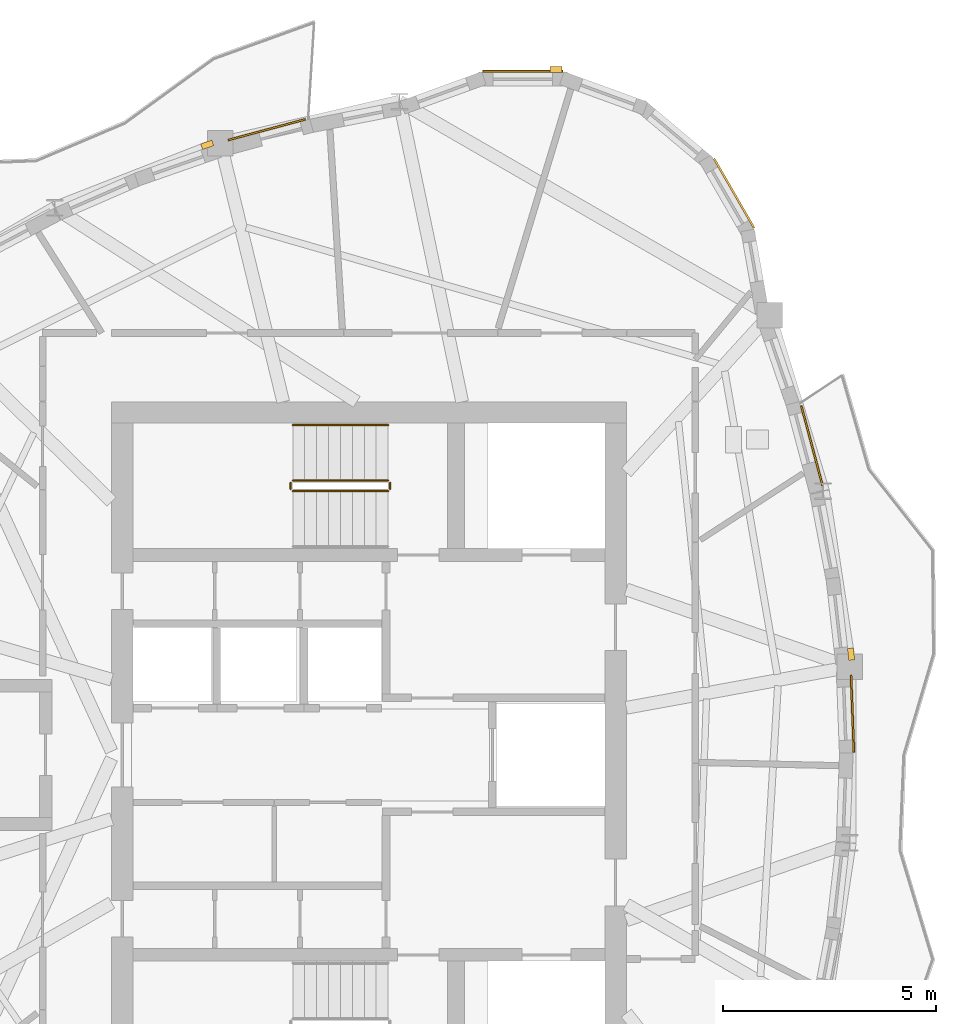
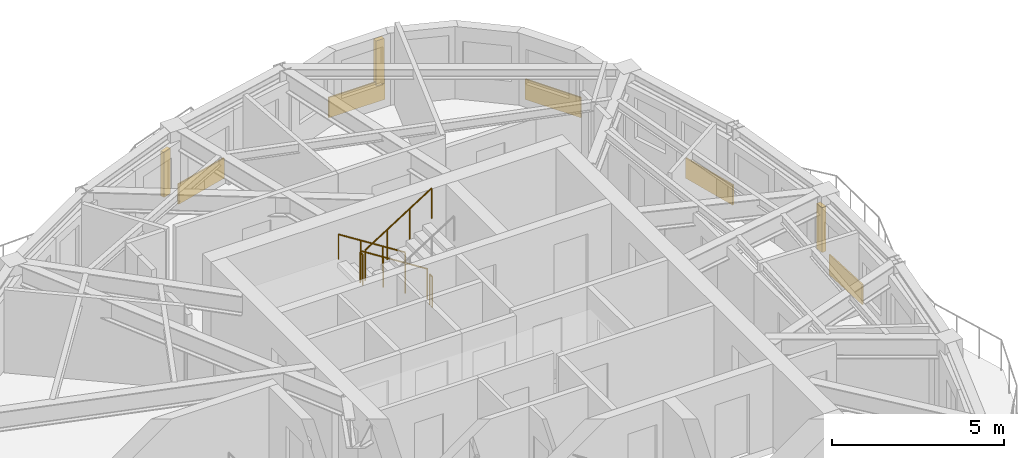
# One storey, part 11 of 12: 5 coverings, 5 railings, 3 shading devices.
"""IFC4 building model written with IfcOpenShell, lengths in metres."""

from ifc_helpers import new_model, si_unit, direction, frame, origin, origin_2d, place, context, subcontext, project, spatial, rectangle, circle, extrude, source, transform, mapped, material, layer, layer_set, type_object, element, save


model = new_model("IFC4")

# Units and contexts
model_context = context("Model", 3, precision=1e-05, world=origin(), true_north=direction((0.0, 1.0)))
body_context = subcontext(model_context, "Body", "Model", "MODEL_VIEW")
ifc_project = project(units=[si_unit("LENGTHUNIT", "METRE"), si_unit("AREAUNIT", "SQUARE_METRE"), si_unit("VOLUMEUNIT", "CUBIC_METRE"), si_unit("PLANEANGLEUNIT", "RADIAN"), si_unit("MASSUNIT", "GRAM", prefix="KILO")], contexts=[model_context])

# Site, building, storey
site_placement = place(None, origin())
site = spatial("IfcSite", under=ifc_project, at=site_placement, CompositionType="ELEMENT")
building_placement = place(site_placement, origin())
building = spatial("IfcBuilding", under=site, at=building_placement, Name="Qafzar Sky-Pleat Residences", CompositionType="ELEMENT")
storey_placement = place(building_placement, frame((0.0, 0.0, 250.0)))
storey = spatial("IfcBuildingStorey", under=building, at=storey_placement, Name="L75", CompositionType="ELEMENT", Elevation=250.0)

# Shading devices
ifc_material_1 = material(Name="Honed Riyadh limestone solar fin", Category="masonry")
ifc_layer_1 = layer(ifc_material_1, 0.139892578125)
ifc_layer_set_1 = layer_set([ifc_layer_1], Name="Honed Riyadh limestone solar fin")
shading_device_type = type_object("IfcShadingDeviceType", Name="SHD-FIN-STONE", PredefinedType="SHUTTER", material=ifc_layer_set_1)
shared_shape_1 = source(origin(), body_context, "Body", "SweptSolid", [
    extrude(rectangle(XDim=0.139892578125, YDim=0.280029296875, at=origin_2d()), origin(), (0.0, 0.0, 1.0), 1.60009765625),
])
for number, where, z_axis, x_axis, name in (
    (1, (41.68408203125, 28.366943359375, 0.599853515625), (0.0, 0.0, 1.0), (0.99356253732, 0.113284970031, 0.0), "L75 Limestone Solar Fin 29"),
    (2, (34.74755859375, 42.11279296875, 0.599853515625), (0.0, 0.0, 1.0), (0.0, 1.0, 0.0), "L75 Limestone Solar Fin 37"),
    (3, (26.548095703125, 40.3408203125, 0.599853515625), (0.0, 0.0, 1.0), (-0.329526843357, 0.944146206637, 0.0), "L75 Limestone Solar Fin 41"),
):
    element("IfcShadingDevice", number, at=place(storey_placement, frame(where, z_axis=z_axis, x_axis=x_axis)), inside=storey, type_object=shading_device_type, Name=name, PredefinedType="SHUTTER", context=body_context, shape_type="MappedRepresentation", body=[
        mapped(shared_shape_1, transform((0.0, 0.0, 0.0), x_axis=(1.0, 0.0, 0.0), y_axis=(0.0, 1.0, 0.0), z_axis=(0.0, 0.0, 1.0), scale=1.0)),
    ])

# Coverings
ifc_material_2 = material(Name="Honed Riyadh Tuwaiq limestone cladding", Category="masonry")
ifc_layer_2 = layer(ifc_material_2, 0.044921875)
ifc_layer_set_2 = layer_set([ifc_layer_2], Name="Honed Riyadh Tuwaiq limestone cladding")
covering_type = type_object("IfcCoveringType", Name="COV-CLAD-STONE", PredefinedType="CLADDING", material=ifc_layer_set_2)
shared_shape_2 = source(origin(), body_context, "Body", "SweptSolid", [
    extrude(rectangle(XDim=1.88134765625, YDim=0.044921875, at=origin_2d()), origin(), (0.0, 0.0, 1.0), 0.719970703125),
])
for number, where, z_axis, x_axis, name in (
    (4, (38.93310546875, 39.202880859375, 0.02001953125), (0.0, 0.0, 1.0), (-0.499972303345, 0.866041393865, 0.0), "L75 Riyadh Limestone Spandrel Cladding 34"),
    (5, (33.967529296875, 42.06982421875, 0.02001953125), (0.0, 0.0, 1.0), (-1.0, 0.0, 0.0), "L75 Riyadh Limestone Spandrel Cladding 37"),
):
    element("IfcCovering", number, at=place(storey_placement, frame(where, z_axis=z_axis, x_axis=x_axis)), inside=storey, type_object=covering_type, Name=name, PredefinedType="CLADDING", context=body_context, shape_type="MappedRepresentation", body=[
        mapped(shared_shape_2, transform((0.0, 0.0, 0.0), x_axis=(1.0, 0.0, 0.0), y_axis=(0.0, 1.0, 0.0), z_axis=(0.0, 0.0, 1.0), scale=1.0)),
    ])
shared_shape_3 = source(origin(), body_context, "Body", "SweptSolid", [
    extrude(rectangle(XDim=1.81494140625, YDim=0.044921875, at=origin_2d()), origin(), (0.0, 0.0, 1.0), 0.719970703125),
])
covering_1_placement = place(storey_placement, frame((41.716552734375, 26.970458984375, 0.02001953125), z_axis=(0.0, 0.0, 1.0), x_axis=(-0.037983685152, 0.999278359449, 0.0)))
element("IfcCovering", 6, at=covering_1_placement, inside=storey, type_object=covering_type, Name="L75 Riyadh Limestone Spandrel Cladding 28", PredefinedType="CLADDING", context=body_context, shape_type="MappedRepresentation", body=[
    mapped(shared_shape_3, transform((0.0, 0.0, 0.0), x_axis=(1.0, 0.0, 0.0), y_axis=(0.0, 1.0, 0.0), z_axis=(0.0, 0.0, 1.0), scale=1.0)),
])
shared_shape_4 = source(origin(), body_context, "Body", "SweptSolid", [
    extrude(rectangle(XDim=1.94140625, YDim=0.044921875, at=origin_2d()), origin(), (0.0, 0.0, 1.0), 0.719970703125),
])
covering_2_placement = place(storey_placement, frame((40.76318359375, 33.268798828125, 0.02001953125), z_axis=(0.0, 0.0, 1.0), x_axis=(-0.257059551248, 0.966395564514, 0.0)))
element("IfcCovering", 7, at=covering_2_placement, inside=storey, type_object=covering_type, Name="L75 Riyadh Limestone Spandrel Cladding 31", PredefinedType="CLADDING", context=body_context, shape_type="MappedRepresentation", body=[
    mapped(shared_shape_4, transform((0.0, 0.0, 0.0), x_axis=(1.0, 0.0, 0.0), y_axis=(0.0, 1.0, 0.0), z_axis=(0.0, 0.0, 1.0), scale=1.0)),
])
shared_shape_5 = source(origin(), body_context, "Body", "SweptSolid", [
    extrude(rectangle(XDim=1.87841796875, YDim=0.044921875, at=origin_2d()), origin(), (0.0, 0.0, 1.0), 0.719970703125),
])
covering_3_placement = place(storey_placement, frame((27.947265625, 40.69677734375, 0.02001953125), z_axis=(0.0, 0.0, 1.0), x_axis=(-0.965459220277, -0.260554205458, 0.0)))
element("IfcCovering", 8, at=covering_3_placement, inside=storey, type_object=covering_type, Name="L75 Riyadh Limestone Spandrel Cladding 40", PredefinedType="CLADDING", context=body_context, shape_type="MappedRepresentation", body=[
    mapped(shared_shape_5, transform((0.0, 0.0, 0.0), x_axis=(1.0, 0.0, 0.0), y_axis=(0.0, 1.0, 0.0), z_axis=(0.0, 0.0, 1.0), scale=1.0)),
])

# Railings
ifc_material_3 = material(Name="Painted Steel S355 stair guardrail", Category="steel")
railing_type_1 = type_object("IfcRailingType", Name="RAIL-STAIR-GUARD", PredefinedType="GUARDRAIL", material=ifc_material_3)
shared_shape_6 = source(origin(), body_context, "Body", "SweptSolid", [
    extrude(circle(Radius=0.02392578125, at=origin_2d()), frame((0.0, 0.0, 1.076171875), z_axis=(0.0, -1.0, 0.0), x_axis=(1.0, 0.0, 0.0)), (0.0, 0.0, 1.0), 0.14990234375),
    extrude(circle(Radius=0.02099609375, at=origin_2d()), origin(), (0.0, 0.0, 1.0), 1.052001953125),
    extrude(circle(Radius=0.02099609375, at=origin_2d()), frame((0.0, -0.14990234375, 0.0)), (0.0, 0.0, 1.0), 1.052001953125),
])
for number, where, name in (
    (9, (28.510009765625, 32.39990234375, 1.60009765625), "L75 ST2 stair guard 2"),
    (10, (30.85009765625, 32.39990234375, 0.0), "L75 ST2 stair guard 4"),
):
    element("IfcRailing", number, at=place(storey_placement, frame(where)), inside=storey, type_object=railing_type_1, Name=name, PredefinedType="GUARDRAIL", context=body_context, shape_type="MappedRepresentation", body=[
        mapped(shared_shape_6, transform((0.0, 0.0, 0.0), x_axis=(1.0, 0.0, 0.0), y_axis=(0.0, 1.0, 0.0), z_axis=(0.0, 0.0, 1.0), scale=1.0)),
    ])
shared_shape_7 = source(origin(), body_context, "Body", "SweptSolid", [
    extrude(circle(Radius=0.02392578125, at=origin_2d()), frame((0.0, 0.0, 1.076171875), z_axis=(0.8442293374, 0.0, 0.53598211339), x_axis=(0.0, 1.0, 0.0)), (0.0, 0.0, 1.0), 2.6533203125),
    extrude(circle(Radius=0.02099609375, at=origin_2d()), origin(), (0.0, 0.0, 1.0), 1.052001953125),
    extrude(circle(Radius=0.02099609375, at=origin_2d()), frame((0.74658203125, 0.0, 0.47412109375)), (0.0, 0.0, 1.0), 1.052001953125),
    extrude(circle(Radius=0.02099609375, at=origin_2d()), frame((1.493408203125, 0.0, 0.947998046875)), (0.0, 0.0, 1.0), 1.052001953125),
    extrude(circle(Radius=0.02099609375, at=origin_2d()), frame((2.239990234375, 0.0, 1.422119140625)), (0.0, 0.0, 1.0), 1.052001953125),
])
railing_1_placement = place(storey_placement, frame((28.56005859375, 32.199951171875, 1.77783203125)))
element("IfcRailing", 11, at=railing_1_placement, inside=storey, type_object=railing_type_1, Name="L75 ST2 stair guard 3", PredefinedType="GUARDRAIL", context=body_context, shape_type="MappedRepresentation", body=[
    mapped(shared_shape_7, transform((0.0, 0.0, 0.0), x_axis=(1.0, 0.0, 0.0), y_axis=(0.0, 1.0, 0.0), z_axis=(0.0, 0.0, 1.0), scale=1.0)),
])
shared_shape_8 = source(origin(), body_context, "Body", "SweptSolid", [
    extrude(circle(Radius=0.02392578125, at=origin_2d()), frame((0.0, 0.0, 1.076171875), z_axis=(-0.84418770128, 0.0, 0.536047689118), x_axis=(0.0, -1.0, 0.0)), (0.0, 0.0, 1.0), 2.6533203125),
    extrude(circle(Radius=0.02099609375, at=origin_2d()), origin(), (0.0, 0.0, 1.0), 1.052001953125),
    extrude(circle(Radius=0.02099609375, at=origin_2d()), frame((-0.74658203125, 0.0, 0.47412109375)), (0.0, 0.0, 1.0), 1.052001953125),
    extrude(circle(Radius=0.02099609375, at=origin_2d()), frame((-1.493408203125, 0.0, 0.9482421875)), (0.0, 0.0, 1.0), 1.052001953125),
    extrude(circle(Radius=0.02099609375, at=origin_2d()), frame((-2.239990234375, 0.0, 1.42236328125)), (0.0, 0.0, 1.0), 1.052001953125),
])
railing_2_placement = place(storey_placement, frame((30.800048828125, 32.449951171875, 0.177734375)))
element("IfcRailing", 12, at=railing_2_placement, inside=storey, type_object=railing_type_1, Name="L75 ST2 stair guard 1", PredefinedType="GUARDRAIL", context=body_context, shape_type="MappedRepresentation", body=[
    mapped(shared_shape_8, transform((0.0, 0.0, 0.0), x_axis=(1.0, 0.0, 0.0), y_axis=(0.0, 1.0, 0.0), z_axis=(0.0, 0.0, 1.0), scale=1.0)),
])
ifc_material_4 = material(Name="Brushed stainless steel handrail", Category="steel")
railing_type_2 = type_object("IfcRailingType", Name="RAIL-STAIR-HAND", PredefinedType="HANDRAIL", material=ifc_material_4)
shared_shape_9 = source(origin(), body_context, "Body", "SweptSolid", [
    extrude(circle(Radius=0.02392578125, at=origin_2d()), frame((0.0, 0.0, 0.8759765625), z_axis=(-0.84418770128, 0.0, 0.536047689118), x_axis=(0.0, -1.0, 0.0)), (0.0, 0.0, 1.0), 2.6533203125),
    extrude(circle(Radius=0.02099609375, at=origin_2d()), origin(), (0.0, 0.0, 1.0), 0.851806640625),
    extrude(circle(Radius=0.02099609375, at=origin_2d()), frame((-0.74658203125, 0.0, 0.47412109375)), (0.0, 0.0, 1.0), 0.851806640625),
    extrude(circle(Radius=0.02099609375, at=origin_2d()), frame((-1.493408203125, 0.0, 0.9482421875)), (0.0, 0.0, 1.0), 0.851806640625),
    extrude(circle(Radius=0.02099609375, at=origin_2d()), frame((-2.239990234375, 0.0, 1.42236328125)), (0.0, 0.0, 1.0), 0.851806640625),
])
railing_3_placement = place(storey_placement, frame((30.800048828125, 33.75, 0.177734375)))
element("IfcRailing", 13, at=railing_3_placement, inside=storey, type_object=railing_type_2, Name="L75 ST2 stair handrail 1", PredefinedType="HANDRAIL", context=body_context, shape_type="MappedRepresentation", body=[
    mapped(shared_shape_9, transform((0.0, 0.0, 0.0), x_axis=(1.0, 0.0, 0.0), y_axis=(0.0, 1.0, 0.0), z_axis=(0.0, 0.0, 1.0), scale=1.0)),
])

save(model, "model.ifc")
